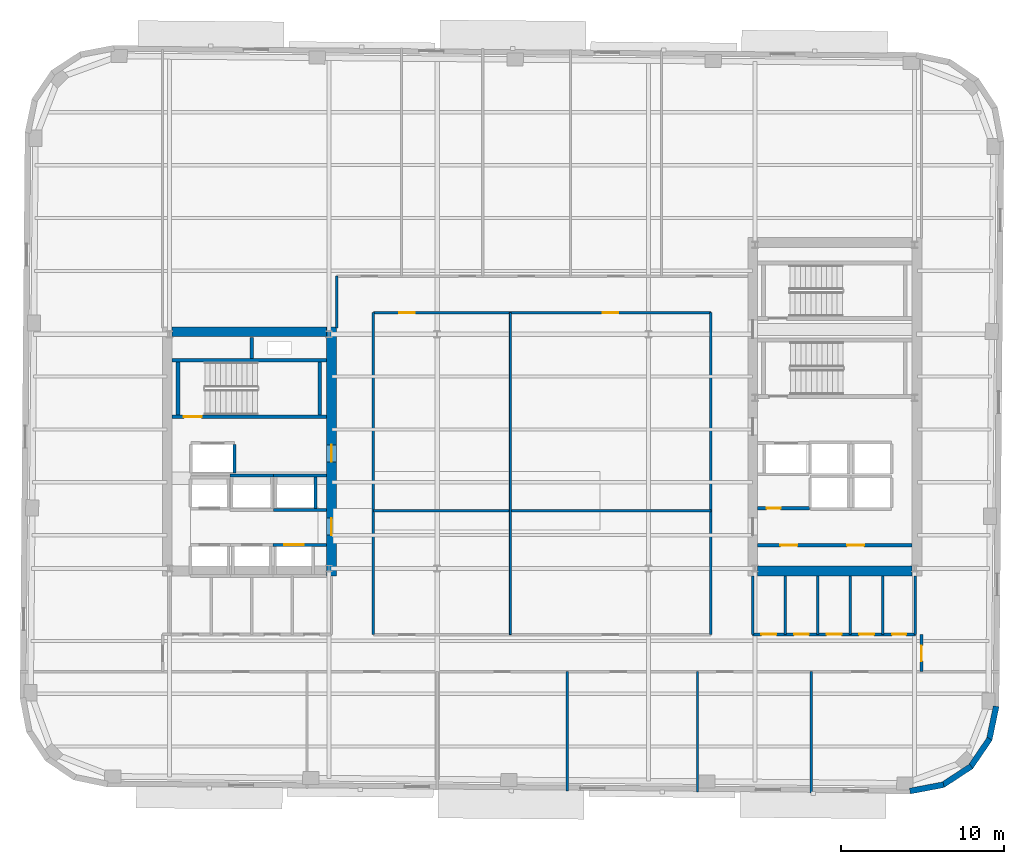
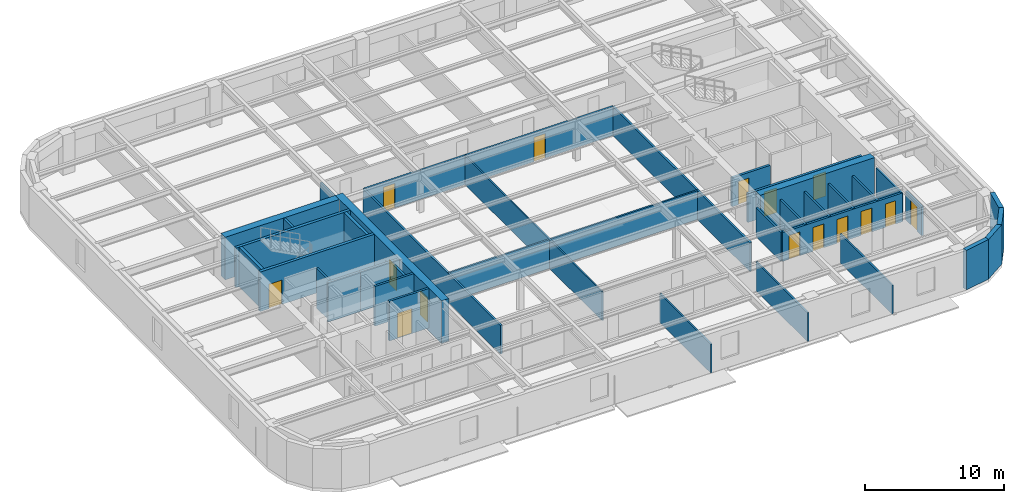
# One storey, part 5 of 11: 37 walls, 15 doors, 15 openings.
"""IFC4 building model written with IfcOpenShell, lengths in metres."""

from ifc_helpers import new_model, si_unit, direction, frame, frame_2d, origin, place, context, subcontext, project, spatial, rectangle, extrude, material, layer, layer_set, type_object, element, fill, save


model = new_model("IFC4")

# Units and contexts
model_context = context("Model", 3, precision=1e-05, world=origin(), true_north=direction((0.0, 1.0)))
body_context = subcontext(model_context, "Body", "Model", "MODEL_VIEW")
ifc_project = project(units=[si_unit("LENGTHUNIT", "METRE"), si_unit("AREAUNIT", "SQUARE_METRE"), si_unit("VOLUMEUNIT", "CUBIC_METRE"), si_unit("PLANEANGLEUNIT", "RADIAN"), si_unit("MASSUNIT", "GRAM", prefix="KILO")], contexts=[model_context])

# Site, building, storey
site_placement = place(None, origin())
site = spatial("IfcSite", under=ifc_project, at=site_placement, CompositionType="ELEMENT")
building_placement = place(site_placement, origin())
building = spatial("IfcBuilding", under=site, at=building_placement, Name="Kolvaren Arena Tower", CompositionType="ELEMENT")
storey_placement = place(building_placement, frame((0.0, 0.0, 162.199951171875)))
storey = spatial("IfcBuildingStorey", under=building, at=storey_placement, Name="L38", CompositionType="ELEMENT", Elevation=162.199951171875)

# Wall
ifc_material_1 = material(Name="Gypsum board acoustic assembly", Category="gypsum")
ifc_layer_1 = layer(ifc_material_1, 0.159912109375)
ifc_layer_set_1 = layer_set([ifc_layer_1], Name="Gypsum board acoustic assembly")
wall_type_1 = type_object("IfcWallType", Name="CORR-160", PredefinedType="PARTITIONING", material=ifc_layer_set_1)
wall_1_placement = place(storey_placement, frame((24.820068359375, 34.25, 0.0), z_axis=(0.0, 0.0, 1.0), x_axis=(0.0, 1.0, 0.0)))
element("IfcWall", 1, at=wall_1_placement, inside=storey, type_object=wall_type_1, Name="Interior Partition Wall (L38)", PredefinedType="PARTITIONING", context=body_context, shape_type="SweptSolid", body=[
    extrude(rectangle(XDim=3.169921875, YDim=0.159912109375, at=frame_2d((1.5849609375, 0.0))), origin(), (0.0, 0.0, 1.0), 2.5400390625),
])

# Wall, openings, doors
wall_2_placement = place(storey_placement, frame((27.080078125, 35.179931640625, 0.0), z_axis=(0.0, 0.0, 1.0), x_axis=(1.0, 0.0, 0.0)))
wall_2 = element("IfcWall", 2, at=wall_2_placement, inside=storey, type_object=wall_type_1, Name="Interior Partition Wall (L38)", PredefinedType="PARTITIONING", context=body_context, shape_type="SweptSolid", body=[
    extrude(rectangle(XDim=20.739990234375, YDim=0.159912109375, at=frame_2d((10.3701171875, 0.0))), origin(), (0.0, 0.0, 1.0), 2.5400390625),
])
opening_1_placement = place(wall_2_placement, frame((1.594970703125, 0.0, 0.0)))
opening_1 = element("IfcOpeningElement", 3, at=opening_1_placement, cuts=wall_2, Name="Opening D05", PredefinedType="OPENING", context=body_context, shape_type="SweptSolid", body=[
    extrude(rectangle(XDim=0.949951171875, YDim=2.14990234375, at=frame_2d((0.47509765625, 1.074951171875))), frame((0.0, 0.08984375, 0.0), z_axis=(0.0, -1.0, 0.0), x_axis=(1.0, 0.0, 0.0)), (0.0, 0.0, 1.0), 0.179931640625),
])
opening_2_placement = place(wall_2_placement, frame((14.094970703125, 0.0, 0.0)))
opening_2 = element("IfcOpeningElement", 4, at=opening_2_placement, cuts=wall_2, Name="Opening D05", PredefinedType="OPENING", context=body_context, shape_type="SweptSolid", body=[
    extrude(rectangle(XDim=0.949951171875, YDim=2.14990234375, at=frame_2d((0.47509765625, 1.074951171875))), frame((0.0, 0.08984375, 0.0), z_axis=(0.0, -1.0, 0.0), x_axis=(1.0, 0.0, 0.0)), (0.0, 0.0, 1.0), 0.179931640625),
])
ifc_material_2 = material(Name="Solid-core oak acoustic office door", Category="wood")
door_type_1 = type_object("IfcDoorType", Name="DOOR-OF-095", OperationType="NOTDEFINED", PredefinedType="DOOR", material=ifc_material_2)
door_1_placement = place(opening_1_placement, origin())
door_1 = element("IfcDoor", 5, at=door_1_placement, inside=storey, type_object=door_type_1, Name="Breakout Pantry and Kitchen Door (L38)", OperationType="SINGLE_SWING_LEFT", OverallHeight=2.14990234375, OverallWidth=0.949951171875, PredefinedType="DOOR", context=body_context, shape_type="SweptSolid", body=[
    extrude(rectangle(XDim=0.949951171875, YDim=2.14990234375, at=frame_2d((0.47509765625, 1.074951171875))), frame((0.0, 0.02490234375, 0.0), z_axis=(0.0, -1.0, 0.0), x_axis=(1.0, 0.0, 0.0)), (0.0, 0.0, 1.0), 0.050048828125),
])
fill(opening_1, door_1)
door_2_placement = place(opening_2_placement, origin())
door_2 = element("IfcDoor", 6, at=door_2_placement, inside=storey, type_object=door_type_1, Name="Open Plan Office Door (L38)", OperationType="SINGLE_SWING_LEFT", OverallHeight=2.14990234375, OverallWidth=0.949951171875, PredefinedType="DOOR", context=body_context, shape_type="SweptSolid", body=[
    extrude(rectangle(XDim=0.949951171875, YDim=2.14990234375, at=frame_2d((0.47509765625, 1.074951171875))), frame((0.0, 0.02490234375, 0.0), z_axis=(0.0, -1.0, 0.0), x_axis=(1.0, 0.0, 0.0)), (0.0, 0.0, 1.0), 0.050048828125),
])
fill(opening_2, door_2)

# Walls
for number, where, z_axis, x_axis, name in (
    (7, (27.080078125, 15.3798828125, 0.0), (0.0, 0.0, 1.0), (0.0, 1.0, 0.0), "Interior Partition Wall (L38)"),
    (8, (47.820068359375, 15.3798828125, 0.0), (0.0, 0.0, 1.0), (0.0, 1.0, 0.0), "Interior Partition Wall (L38)"),
):
    element("IfcWall", number, at=place(storey_placement, frame(where, z_axis=z_axis, x_axis=x_axis)), inside=storey, type_object=wall_type_1, Name=name, PredefinedType="PARTITIONING", context=body_context, shape_type="SweptSolid", body=[
        extrude(rectangle(XDim=19.800048828125, YDim=0.159912109375, at=frame_2d((9.89990234375, 0.0))), origin(), (0.0, 0.0, 1.0), 2.5400390625),
    ])

# Wall, opening, door
wall_3_placement = place(storey_placement, frame((60.780029296875, 13.10009765625, 0.0), z_axis=(0.0, 0.0, 1.0), x_axis=(0.0, 1.0, 0.0)))
wall_3 = element("IfcWall", 9, at=wall_3_placement, inside=storey, type_object=wall_type_1, Name="Interior Partition Wall (L38)", PredefinedType="PARTITIONING", context=body_context, shape_type="SweptSolid", body=[
    extrude(rectangle(XDim=2.2998046875, YDim=0.159912109375, at=frame_2d((1.14990234375, 0.0))), origin(), (0.0, 0.0, 1.0), 2.5400390625),
])
opening_3_placement = place(wall_3_placement, frame((0.64990234375, 0.0, 0.0)))
opening_3 = element("IfcOpeningElement", 10, at=opening_3_placement, cuts=wall_3, Name="Opening D05", PredefinedType="OPENING", context=body_context, shape_type="SweptSolid", body=[
    extrude(rectangle(XDim=0.949951171875, YDim=2.14990234375, at=frame_2d((0.47509765625, 1.074951171875))), frame((0.0, 0.08984375, 0.0), z_axis=(0.0, -1.0, 0.0), x_axis=(1.0, 0.0, 0.0)), (0.0, 0.0, 1.0), 0.179931640625),
])
door_3_placement = place(opening_3_placement, origin())
door_3 = element("IfcDoor", 11, at=door_3_placement, inside=storey, type_object=door_type_1, Name="East Wing Studio Door (L38)", OperationType="SINGLE_SWING_RIGHT", OverallHeight=2.14990234375, OverallWidth=0.949951171875, PredefinedType="DOOR", context=body_context, shape_type="SweptSolid", body=[
    extrude(rectangle(XDim=0.949951171875, YDim=2.14990234375, at=frame_2d((0.47509765625, 1.074951171875))), frame((0.0, 0.02490234375, 0.0), z_axis=(0.0, -1.0, 0.0), x_axis=(1.0, 0.0, 0.0)), (0.0, 0.0, 1.0), 0.050048828125),
])
fill(opening_3, door_3)

# Wall, openings, doors
ifc_material_3 = material(Name="Concrete 60 MPa", Category="concrete")
ifc_layer_2 = layer(ifc_material_3, 0.60009765625)
ifc_layer_set_2 = layer_set([ifc_layer_2], Name="Concrete 60 MPa")
wall_type_2 = type_object("IfcWallType", Name="CWALL-600", PredefinedType="SHEAR", material=ifc_layer_set_2)
wall_4_placement = place(storey_placement, frame((24.5, 19.0, -0.27001953125), z_axis=(0.0, 0.0, 1.0), x_axis=(0.0, 1.0, 0.0)))
wall_4 = element("IfcWall", 12, at=wall_4_placement, inside=storey, type_object=wall_type_2, Name="Core Shear Wall WC-EAST (L38)", PredefinedType="SHEAR", context=body_context, shape_type="SweptSolid", body=[
    extrude(rectangle(XDim=15.300048828125, YDim=0.60009765625, at=frame_2d((7.64990234375, 0.0))), origin(), (0.0, 0.0, 1.0), 3.75),
])
opening_4_placement = place(wall_4_placement, frame((2.5, 0.0, 0.27001953125)))
opening_4 = element("IfcOpeningElement", 13, at=opening_4_placement, cuts=wall_4, Name="Opening D04", PredefinedType="OPENING", context=body_context, shape_type="SweptSolid", body=[
    extrude(rectangle(XDim=1.050048828125, YDim=2.14990234375, at=frame_2d((0.52490234375, 1.074951171875))), frame((0.0, 0.31005859375, 0.0), z_axis=(0.0, -1.0, 0.0), x_axis=(1.0, 0.0, 0.0)), (0.0, 0.0, 1.0), 0.6201171875),
])
opening_5_placement = place(wall_4_placement, frame((7.0, 0.0, 0.27001953125)))
opening_5 = element("IfcOpeningElement", 14, at=opening_5_placement, cuts=wall_4, Name="Opening D04", PredefinedType="OPENING", context=body_context, shape_type="SweptSolid", body=[
    extrude(rectangle(XDim=1.050048828125, YDim=2.14990234375, at=frame_2d((0.52490234375, 1.074951171875))), frame((0.0, 0.31005859375, 0.0), z_axis=(0.0, -1.0, 0.0), x_axis=(1.0, 0.0, 0.0)), (0.0, 0.0, 1.0), 0.6201171875),
])
ifc_material_4 = material(Name="Fire-rated steel lobby door", Category="steel")
door_type_2 = type_object("IfcDoorType", Name="DOOR-FF-105", OperationType="NOTDEFINED", PredefinedType="DOOR", material=ifc_material_4)
door_4_placement = place(opening_4_placement, origin())
door_4 = element("IfcDoor", 15, at=door_4_placement, inside=storey, type_object=door_type_2, Name="West Lift Lobby Fire Door (L38)", OperationType="SINGLE_SWING_LEFT", OverallHeight=2.14990234375, OverallWidth=1.050048828125, PredefinedType="DOOR", context=body_context, shape_type="SweptSolid", body=[
    extrude(rectangle(XDim=1.050048828125, YDim=2.14990234375, at=frame_2d((0.52490234375, 1.074951171875))), frame((0.0, 0.02490234375, 0.0), z_axis=(0.0, -1.0, 0.0), x_axis=(1.0, 0.0, 0.0)), (0.0, 0.0, 1.0), 0.050048828125),
])
fill(opening_4, door_4)
door_5_placement = place(opening_5_placement, origin())
door_5 = element("IfcDoor", 16, at=door_5_placement, inside=storey, type_object=door_type_2, Name="West Firefighter Vestibule Door (L38)", OperationType="SINGLE_SWING_RIGHT", OverallHeight=2.14990234375, OverallWidth=1.050048828125, PredefinedType="DOOR", context=body_context, shape_type="SweptSolid", body=[
    extrude(rectangle(XDim=1.050048828125, YDim=2.14990234375, at=frame_2d((0.52490234375, 1.074951171875))), frame((0.0, 0.02490234375, 0.0), z_axis=(0.0, -1.0, 0.0), x_axis=(1.0, 0.0, 0.0)), (0.0, 0.0, 1.0), 0.050048828125),
])
fill(opening_5, door_5)

# Walls
for number, where, z_axis, x_axis, name in (
    (17, (14.699951171875, 34.0, -0.27001953125), (0.0, 0.0, 1.0), (1.0, 0.0, 0.0), "Core Shear Wall WC-NORTH (L38)"),
    (18, (50.699951171875, 19.300048828125, -0.27001953125), (0.0, 0.0, 1.0), (1.0, 0.0, 0.0), "Core Shear Wall EC-SOUTH (L38)"),
):
    element("IfcWall", number, at=place(storey_placement, frame(where, z_axis=z_axis, x_axis=x_axis)), inside=storey, type_object=wall_type_2, Name=name, PredefinedType="SHEAR", context=body_context, shape_type="SweptSolid", body=[
        extrude(rectangle(XDim=9.5, YDim=0.60009765625, at=frame_2d((4.75, 0.0))), origin(), (0.0, 0.0, 1.0), 3.75),
    ])
ifc_material_5 = material(Name="Precast concrete C50/60", Category="concrete")
ifc_layer_3 = layer(ifc_material_5, 0.360107421875)
ifc_layer_set_3 = layer_set([ifc_layer_3], Name="Precast concrete C50/60")
wall_type_3 = type_object("IfcWallType", Name="EXT-PIER2", PredefinedType="SOLIDWALL", material=ifc_layer_set_3)
wall_5_placement = place(storey_placement, frame((62.136474609375, 6.155029296875, 0.0), z_axis=(0.0, 0.0, 1.0), x_axis=(-0.98246713518, -0.186435855703, 0.0)))
element("IfcWall", 19, at=wall_5_placement, inside=storey, type_object=wall_type_3, Name="Exterior Precast Masonry-Frame Wall (L38)", PredefinedType="SOLIDWALL", context=body_context, shape_type="SweptSolid", body=[
    extrude(rectangle(XDim=2.10693359375, YDim=0.360107421875, at=frame_2d((1.053466796875, 0.0))), origin(), (0.0, 0.0, 1.0), 3.47998046875),
])
wall_6_placement = place(storey_placement, frame((63.83349609375, 7.2841796875, 0.0), z_axis=(0.0, 0.0, 1.0), x_axis=(-0.836303589916, -0.548266637224, 0.0)))
element("IfcWall", 20, at=wall_6_placement, inside=storey, type_object=wall_type_3, Name="Exterior Precast Masonry-Frame Wall (L38)", PredefinedType="SOLIDWALL", context=body_context, shape_type="SweptSolid", body=[
    extrude(rectangle(XDim=2.107177734375, YDim=0.360107421875, at=frame_2d((1.0537109375, 0.0))), origin(), (0.0, 0.0, 1.0), 3.47998046875),
])
for number, where, z_axis, x_axis, name in (
    (21, (64.968994140625, 8.9765625, 0.0), (0.0, 0.0, 1.0), (-0.56277581689, -0.826609569219, 0.0), "Exterior Precast Masonry-Frame Wall (L38)"),
    (22, (65.370849609375, 10.974609375, 0.0), (0.0, 0.0, 1.0), (-0.203709000552, -0.979031482177, 0.0), "Exterior Precast Masonry-Frame Wall (L38)"),
):
    element("IfcWall", number, at=place(storey_placement, frame(where, z_axis=z_axis, x_axis=x_axis)), inside=storey, type_object=wall_type_3, Name=name, PredefinedType="SOLIDWALL", context=body_context, shape_type="SweptSolid", body=[
        extrude(rectangle(XDim=2.10693359375, YDim=0.360107421875, at=frame_2d((1.053466796875, 0.0))), origin(), (0.0, 0.0, 1.0), 3.47998046875),
    ])

# Wall, openings, doors
ifc_material_6 = material(Name="Concrete 40 MPa", Category="concrete")
ifc_layer_4 = layer(ifc_material_6, 0.199951171875)
ifc_layer_set_4 = layer_set([ifc_layer_4], Name="Concrete 40 MPa")
wall_type_4 = type_object("IfcWallType", Name="LOBBY-200", PredefinedType="SOLIDWALL", material=ifc_layer_set_4)
wall_7_placement = place(storey_placement, frame((50.699951171875, 20.8798828125, 0.0), z_axis=(0.0, 0.0, 1.0), x_axis=(1.0, 0.0, 0.0)))
wall_7 = element("IfcWall", 23, at=wall_7_placement, inside=storey, type_object=wall_type_4, Name="Core Shaft Wall (L38)", PredefinedType="SOLIDWALL", context=body_context, shape_type="SweptSolid", body=[
    extrude(rectangle(XDim=9.5, YDim=0.199951171875, at=frame_2d((4.75, 0.0))), origin(), (0.0, 0.0, 1.0), 2.5400390625),
])
opening_6_placement = place(wall_7_placement, frame((1.39990234375, 0.0, 0.0)))
opening_6 = element("IfcOpeningElement", 24, at=opening_6_placement, cuts=wall_7, Name="Opening D04", PredefinedType="OPENING", context=body_context, shape_type="SweptSolid", body=[
    extrude(rectangle(XDim=1.050048828125, YDim=2.14990234375, at=frame_2d((0.52490234375, 1.074951171875))), frame((0.0, 0.10986328125, 0.0), z_axis=(0.0, -1.0, 0.0), x_axis=(1.0, 0.0, 0.0)), (0.0, 0.0, 1.0), 0.219970703125),
])
opening_7_placement = place(wall_7_placement, frame((5.5, 0.0, 0.0)))
opening_7 = element("IfcOpeningElement", 25, at=opening_7_placement, cuts=wall_7, Name="Opening D04", PredefinedType="OPENING", context=body_context, shape_type="SweptSolid", body=[
    extrude(rectangle(XDim=1.050048828125, YDim=2.14990234375, at=frame_2d((0.52490234375, 1.074951171875))), frame((0.0, 0.10986328125, 0.0), z_axis=(0.0, -1.0, 0.0), x_axis=(1.0, 0.0, 0.0)), (0.0, 0.0, 1.0), 0.219970703125),
])
door_6_placement = place(opening_6_placement, origin())
door_6 = element("IfcDoor", 26, at=door_6_placement, inside=storey, type_object=door_type_2, Name="East Telecom Room Fire Door (L38)", OperationType="SINGLE_SWING_RIGHT", OverallHeight=2.14990234375, OverallWidth=1.050048828125, PredefinedType="DOOR", context=body_context, shape_type="SweptSolid", body=[
    extrude(rectangle(XDim=1.050048828125, YDim=2.14990234375, at=frame_2d((0.52490234375, 1.074951171875))), frame((0.0, 0.02490234375, 0.0), z_axis=(0.0, -1.0, 0.0), x_axis=(1.0, 0.0, 0.0)), (0.0, 0.0, 1.0), 0.050048828125),
])
fill(opening_6, door_6)
door_7_placement = place(opening_7_placement, origin())
door_7 = element("IfcDoor", 27, at=door_7_placement, inside=storey, type_object=door_type_2, Name="East Records Room Fire Door (L38)", OperationType="SINGLE_SWING_LEFT", OverallHeight=2.14990234375, OverallWidth=1.050048828125, PredefinedType="DOOR", context=body_context, shape_type="SweptSolid", body=[
    extrude(rectangle(XDim=1.050048828125, YDim=2.14990234375, at=frame_2d((0.52490234375, 1.074951171875))), frame((0.0, 0.02490234375, 0.0), z_axis=(0.0, -1.0, 0.0), x_axis=(1.0, 0.0, 0.0)), (0.0, 0.0, 1.0), 0.050048828125),
])
fill(opening_7, door_7)

# Wall, opening, door
wall_8_placement = place(storey_placement, frame((50.699951171875, 23.159912109375, 0.0), z_axis=(0.0, 0.0, 1.0), x_axis=(1.0, 0.0, 0.0)))
wall_8 = element("IfcWall", 28, at=wall_8_placement, inside=storey, type_object=wall_type_4, Name="Core Shaft Wall (L38)", PredefinedType="SOLIDWALL", context=body_context, shape_type="SweptSolid", body=[
    extrude(rectangle(XDim=3.179931640625, YDim=0.199951171875, at=frame_2d((1.58984375, 0.0))), origin(), (0.0, 0.0, 1.0), 2.5400390625),
])
opening_8_placement = place(wall_8_placement, frame((0.550048828125, 0.0, 0.0)))
opening_8 = element("IfcOpeningElement", 29, at=opening_8_placement, cuts=wall_8, Name="Opening D09", PredefinedType="OPENING", context=body_context, shape_type="SweptSolid", body=[
    extrude(rectangle(XDim=0.860107421875, YDim=2.050048828125, at=frame_2d((0.43017578125, 1.02490234375))), frame((0.0, 0.10986328125, 0.0), z_axis=(0.0, -1.0, 0.0), x_axis=(1.0, 0.0, 0.0)), (0.0, 0.0, 1.0), 0.219970703125),
])
ifc_material_7 = material(Name="Fire-rated steel riser access door", Category="steel")
door_type_3 = type_object("IfcDoorType", Name="DOOR-RS-086", OperationType="NOTDEFINED", PredefinedType="DOOR", material=ifc_material_7)
door_8_placement = place(opening_8_placement, origin())
door_8 = element("IfcDoor", 30, at=door_8_placement, inside=storey, type_object=door_type_3, Name="East AV Riser Closet Door (L38)", OperationType="SINGLE_SWING_LEFT", OverallHeight=2.050048828125, OverallWidth=0.860107421875, PredefinedType="DOOR", context=body_context, shape_type="SweptSolid", body=[
    extrude(rectangle(XDim=0.860107421875, YDim=2.050048828125, at=frame_2d((0.43017578125, 1.02490234375))), frame((0.0, 0.02490234375, 0.0), z_axis=(0.0, -1.0, 0.0), x_axis=(1.0, 0.0, 0.0)), (0.0, 0.0, 1.0), 0.050048828125),
])
fill(opening_8, door_8)

# Walls
ifc_material_8 = material(Name="Gypsum board partition assembly", Category="gypsum")
ifc_layer_5 = layer(ifc_material_8, 0.114990234375)
ifc_layer_set_5 = layer_set([ifc_layer_5], Name="Gypsum board partition assembly")
wall_type_5 = type_object("IfcWallType", Name="PART-115", PredefinedType="PARTITIONING", material=ifc_layer_set_5)
wall_9_placement = place(storey_placement, frame((35.5, 15.3798828125, 0.0), z_axis=(0.0, 0.0, 1.0), x_axis=(0.0, 1.0, 0.0)))
element("IfcWall", 31, at=wall_9_placement, inside=storey, type_object=wall_type_5, Name="Interior Partition Wall (L38)", PredefinedType="PARTITIONING", context=body_context, shape_type="SweptSolid", body=[
    extrude(rectangle(XDim=19.800048828125, YDim=0.114990234375, at=frame_2d((9.89990234375, 0.0))), origin(), (0.0, 0.0, 1.0), 2.5400390625),
])
ifc_layer_6 = layer(ifc_material_8, 0.135009765625)
ifc_layer_set_6 = layer_set([ifc_layer_6], Name="Gypsum board partition assembly")
wall_type_6 = type_object("IfcWallType", Name="PART-135", PredefinedType="PARTITIONING", material=ifc_layer_set_6)
wall_10_placement = place(storey_placement, frame((39.0, 5.769287109375, 0.0), z_axis=(0.0, 0.0, 1.0), x_axis=(0.0, 1.0, 0.0)))
element("IfcWall", 32, at=wall_10_placement, inside=storey, type_object=wall_type_6, Name="Interior Partition Wall (L38)", PredefinedType="PARTITIONING", context=body_context, shape_type="SweptSolid", body=[
    extrude(rectangle(XDim=7.330810546875, YDim=0.135009765625, at=frame_2d((3.66552734375, 0.0))), origin(), (0.0, 0.0, 1.0), 2.5400390625),
])
wall_11_placement = place(storey_placement, frame((47.0, 5.69970703125, 0.0), z_axis=(0.0, 0.0, 1.0), x_axis=(0.0, 1.0, 0.0)))
element("IfcWall", 33, at=wall_11_placement, inside=storey, type_object=wall_type_6, Name="Interior Partition Wall (L38)", PredefinedType="PARTITIONING", context=body_context, shape_type="SweptSolid", body=[
    extrude(rectangle(XDim=7.400390625, YDim=0.135009765625, at=frame_2d((3.7001953125, 0.0))), origin(), (0.0, 0.0, 1.0), 2.5400390625),
])
wall_12_placement = place(storey_placement, frame((54.0, 5.638427734375, 0.0), z_axis=(0.0, 0.0, 1.0), x_axis=(0.0, 1.0, 0.0)))
element("IfcWall", 34, at=wall_12_placement, inside=storey, type_object=wall_type_6, Name="Interior Partition Wall (L38)", PredefinedType="PARTITIONING", context=body_context, shape_type="SweptSolid", body=[
    extrude(rectangle(XDim=7.461669921875, YDim=0.135009765625, at=frame_2d((3.73095703125, 0.0))), origin(), (0.0, 0.0, 1.0), 2.5400390625),
])
wall_13_placement = place(storey_placement, frame((27.080078125, 23.0, 0.0), z_axis=(0.0, 0.0, 1.0), x_axis=(1.0, 0.0, 0.0)))
element("IfcWall", 35, at=wall_13_placement, inside=storey, type_object=wall_type_6, Name="Interior Partition Wall (L38)", PredefinedType="PARTITIONING", context=body_context, shape_type="SweptSolid", body=[
    extrude(rectangle(XDim=20.739990234375, YDim=0.135009765625, at=frame_2d((10.3701171875, 0.0))), origin(), (0.0, 0.0, 1.0), 2.5400390625),
])

# Wall, opening, door
ifc_material_9 = material(Name="Concrete 45 MPa", Category="concrete")
ifc_layer_7 = layer(ifc_material_9, 0.25)
ifc_layer_set_7 = layer_set([ifc_layer_7], Name="Concrete 45 MPa")
wall_type_7 = type_object("IfcWallType", Name="SHAFT-250", PredefinedType="SOLIDWALL", material=ifc_layer_set_7)
wall_14_placement = place(storey_placement, frame((24.199951171875, 28.780029296875, 0.0), z_axis=(0.0, 0.0, 1.0), x_axis=(-1.0, 0.0, 0.0)))
wall_14 = element("IfcWall", 36, at=wall_14_placement, inside=storey, type_object=wall_type_7, Name="Core Shaft Wall (L38)", PredefinedType="SOLIDWALL", context=body_context, shape_type="SweptSolid", body=[
    extrude(rectangle(XDim=9.5, YDim=0.239990234375, at=frame_2d((4.75, 0.0))), origin(), (0.0, 0.0, 1.0), 3.47998046875),
])
opening_9_placement = place(wall_14_placement, frame((7.679931640625, 0.0, 0.0)))
opening_9 = element("IfcOpeningElement", 37, at=opening_9_placement, cuts=wall_14, Name="Opening D03", PredefinedType="OPENING", context=body_context, shape_type="SweptSolid", body=[
    extrude(rectangle(XDim=1.10009765625, YDim=2.14990234375, at=frame_2d((0.550048828125, 1.074951171875))), frame((0.0, 0.1298828125, 0.0), z_axis=(0.0, -1.0, 0.0), x_axis=(1.0, 0.0, 0.0)), (0.0, 0.0, 1.0), 0.260009765625),
])
ifc_material_10 = material(Name="Fire-rated steel exit stair door", Category="steel")
door_type_4 = type_object("IfcDoorType", Name="DOOR-ST-110", OperationType="NOTDEFINED", PredefinedType="DOOR", material=ifc_material_10)
door_9_placement = place(opening_9_placement, origin())
door_9 = element("IfcDoor", 38, at=door_9_placement, inside=storey, type_object=door_type_4, Name="Stair ST-W1 Fire Door (L38)", OperationType="SINGLE_SWING_RIGHT", OverallHeight=2.14990234375, OverallWidth=1.10009765625, PredefinedType="DOOR", context=body_context, shape_type="SweptSolid", body=[
    extrude(rectangle(XDim=1.10009765625, YDim=2.14990234375, at=frame_2d((0.550048828125, 1.074951171875))), frame((0.0, 0.02490234375, 0.0), z_axis=(0.0, -1.0, 0.0), x_axis=(1.0, 0.0, 0.0)), (0.0, 0.0, 1.0), 0.050048828125),
])
fill(opening_9, door_9)

# Walls
wall_15_placement = place(storey_placement, frame((14.699951171875, 32.25, 0.0), z_axis=(0.0, 0.0, 1.0), x_axis=(1.0, 0.0, 0.0)))
element("IfcWall", 39, at=wall_15_placement, inside=storey, type_object=wall_type_7, Name="Core Shaft Wall (L38)", PredefinedType="SOLIDWALL", context=body_context, shape_type="SweptSolid", body=[
    extrude(rectangle(XDim=9.5, YDim=0.239990234375, at=frame_2d((4.75, 0.0))), origin(), (0.0, 0.0, 1.0), 3.47998046875),
])
for number, where, z_axis, x_axis, name in (
    (40, (15.06005859375, 28.89990234375, 0.0), (0.0, 0.0, 1.0), (0.0, 1.0, 0.0), "Core Shaft Wall (L38)"),
    (41, (23.780029296875, 28.89990234375, 0.0), (0.0, 0.0, 1.0), (0.0, 1.0, 0.0), "Core Shaft Wall (L38)"),
):
    element("IfcWall", number, at=place(storey_placement, frame(where, z_axis=z_axis, x_axis=x_axis)), inside=storey, type_object=wall_type_7, Name=name, PredefinedType="SOLIDWALL", context=body_context, shape_type="SweptSolid", body=[
        extrude(rectangle(XDim=3.22998046875, YDim=0.239990234375, at=frame_2d((1.614990234375, 0.0))), origin(), (0.0, 0.0, 1.0), 3.47998046875),
    ])
wall_16_placement = place(storey_placement, frame((19.60009765625, 32.3701171875, 0.0), z_axis=(0.0, 0.0, 1.0), x_axis=(0.0, 1.0, 0.0)))
element("IfcWall", 42, at=wall_16_placement, inside=storey, type_object=wall_type_7, Name="Core Shaft Wall (L38)", PredefinedType="SOLIDWALL", context=body_context, shape_type="SweptSolid", body=[
    extrude(rectangle(XDim=1.27978515625, YDim=0.199951171875, at=frame_2d((0.639892578125, 0.0))), origin(), (0.0, 0.0, 1.0), 3.47998046875),
])

# Wall, opening, door
wall_17_placement = place(storey_placement, frame((20.89990234375, 20.905029296875, 0.0), z_axis=(0.0, 0.0, 1.0), x_axis=(1.0, 0.0, 0.0)))
wall_17 = element("IfcWall", 43, at=wall_17_placement, inside=storey, type_object=wall_type_7, Name="Core Shaft Wall (L38)", PredefinedType="SOLIDWALL", context=body_context, shape_type="SweptSolid", body=[
    extrude(rectangle(XDim=3.300048828125, YDim=0.179931640625, at=frame_2d((1.64990234375, 0.0))), origin(), (0.0, 0.0, 1.0), 3.47998046875),
])
opening_10_placement = place(wall_17_placement, frame((0.699951171875, 0.0, 0.0)))
opening_10 = element("IfcOpeningElement", 44, at=opening_10_placement, cuts=wall_17, Name="Opening LD1", PredefinedType="OPENING", context=body_context, shape_type="SweptSolid", body=[
    extrude(rectangle(XDim=1.199951171875, YDim=2.199951171875, at=frame_2d((0.60009765625, 1.10009765625))), frame((0.0, 0.099853515625, 0.0), z_axis=(0.0, -1.0, 0.0), x_axis=(1.0, 0.0, 0.0)), (0.0, 0.0, 1.0), 0.199951171875),
])
ifc_material_11 = material(Name="Stainless steel passenger lift landing door", Category="steel")
door_type_5 = type_object("IfcDoorType", Name="DOOR-LD-120", OperationType="DOUBLE_DOOR_SLIDING", PredefinedType="DOOR", material=ifc_material_11)
door_10_placement = place(opening_10_placement, origin())
door_10 = element("IfcDoor", 45, at=door_10_placement, inside=storey, type_object=door_type_5, Name="Lift EL-MR3 Landing Door (L38)", OperationType="DOUBLE_DOOR_SLIDING", OverallHeight=2.199951171875, OverallWidth=1.199951171875, PredefinedType="DOOR", context=body_context, shape_type="SweptSolid", body=[
    extrude(rectangle(XDim=1.199951171875, YDim=2.199951171875, at=frame_2d((0.60009765625, 1.10009765625))), frame((0.0, 0.02490234375, 0.0), z_axis=(0.0, -1.0, 0.0), x_axis=(1.0, 0.0, 0.0)), (0.0, 0.0, 1.0), 0.050048828125),
])
fill(opening_10, door_10)

# Walls
wall_18_placement = place(storey_placement, frame((18.262451171875, 25.155029296875, 0.0), z_axis=(0.0, 0.0, 1.0), x_axis=(1.0, 0.0, 0.0)))
element("IfcWall", 46, at=wall_18_placement, inside=storey, type_object=wall_type_7, Name="Core Shaft Wall (L38)", PredefinedType="SOLIDWALL", context=body_context, shape_type="SweptSolid", body=[
    extrude(rectangle(XDim=2.6875, YDim=0.179931640625, at=frame_2d((1.34375, 0.0))), origin(), (0.0, 0.0, 1.0), 3.47998046875),
])
for number, where, z_axis, x_axis, name in (
    (47, (20.949951171875, 25.155029296875, 0.0), (0.0, 0.0, 1.0), (1.0, 0.0, 0.0), "Core Shaft Wall (L38)"),
    (48, (20.949951171875, 23.044921875, 0.0), (0.0, 0.0, 1.0), (1.0, 0.0, 0.0), "Core Shaft Wall (L38)"),
):
    element("IfcWall", number, at=place(storey_placement, frame(where, z_axis=z_axis, x_axis=x_axis)), inside=storey, type_object=wall_type_7, Name=name, PredefinedType="SOLIDWALL", context=body_context, shape_type="SweptSolid", body=[
        extrude(rectangle(XDim=3.25, YDim=0.179931640625, at=frame_2d((1.625, 0.0))), origin(), (0.0, 0.0, 1.0), 3.47998046875),
    ])
wall_19_placement = place(storey_placement, frame((23.530029296875, 23.135009765625, 0.0), z_axis=(0.0, 0.0, 1.0), x_axis=(0.0, 1.0, 0.0)))
element("IfcWall", 49, at=wall_19_placement, inside=storey, type_object=wall_type_7, Name="Core Shaft Wall (L38)", PredefinedType="SOLIDWALL", context=body_context, shape_type="SweptSolid", body=[
    extrude(rectangle(XDim=1.929931640625, YDim=0.179931640625, at=frame_2d((0.96484375, 0.0))), origin(), (0.0, 0.0, 1.0), 3.47998046875),
])
wall_20_placement = place(storey_placement, frame((18.530029296875, 25.3349609375, 0.0), z_axis=(0.0, 0.0, 1.0), x_axis=(0.0, 1.0, 0.0)))
element("IfcWall", 50, at=wall_20_placement, inside=storey, type_object=wall_type_7, Name="Core Shaft Wall (L38)", PredefinedType="SOLIDWALL", context=body_context, shape_type="SweptSolid", body=[
    extrude(rectangle(XDim=1.72998046875, YDim=0.179931640625, at=frame_2d((0.864990234375, 0.0))), origin(), (0.0, 0.0, 1.0), 3.47998046875),
])

# Wall, openings, doors
wall_21_placement = place(storey_placement, frame((50.39990234375, 15.39990234375, 0.0), z_axis=(0.0, 0.0, 1.0), x_axis=(1.0, 0.0, 0.0)))
wall_21 = element("IfcWall", 51, at=wall_21_placement, inside=storey, type_object=wall_type_7, Name="Interior Partition Wall (L38)", PredefinedType="SOLIDWALL", context=body_context, shape_type="SweptSolid", body=[
    extrude(rectangle(XDim=10.0, YDim=0.179931640625, at=frame_2d((5.0, 0.0))), origin(), (0.0, 0.0, 1.0), 2.5400390625),
])
opening_11_placement = place(wall_21_placement, frame((0.5400390625, 0.0, 0.0)))
opening_11 = element("IfcOpeningElement", 52, at=opening_11_placement, cuts=wall_21, Name="Opening D07", PredefinedType="OPENING", context=body_context, shape_type="SweptSolid", body=[
    extrude(rectangle(XDim=0.919921875, YDim=2.10009765625, at=frame_2d((0.4599609375, 1.050048828125))), frame((0.0, 0.099853515625, 0.0), z_axis=(0.0, -1.0, 0.0), x_axis=(1.0, 0.0, 0.0)), (0.0, 0.0, 1.0), 0.199951171875),
])
opening_12_placement = place(wall_21_placement, frame((2.5400390625, 0.0, 0.0)))
opening_12 = element("IfcOpeningElement", 53, at=opening_12_placement, cuts=wall_21, Name="Opening D07", PredefinedType="OPENING", context=body_context, shape_type="SweptSolid", body=[
    extrude(rectangle(XDim=0.919921875, YDim=2.10009765625, at=frame_2d((0.4599609375, 1.050048828125))), frame((0.0, 0.099853515625, 0.0), z_axis=(0.0, -1.0, 0.0), x_axis=(1.0, 0.0, 0.0)), (0.0, 0.0, 1.0), 0.199951171875),
])
opening_13_placement = place(wall_21_placement, frame((4.5400390625, 0.0, 0.0)))
opening_13 = element("IfcOpeningElement", 54, at=opening_13_placement, cuts=wall_21, Name="Opening D07", PredefinedType="OPENING", context=body_context, shape_type="SweptSolid", body=[
    extrude(rectangle(XDim=0.919921875, YDim=2.10009765625, at=frame_2d((0.4599609375, 1.050048828125))), frame((0.0, 0.099853515625, 0.0), z_axis=(0.0, -1.0, 0.0), x_axis=(1.0, 0.0, 0.0)), (0.0, 0.0, 1.0), 0.199951171875),
])
opening_14_placement = place(wall_21_placement, frame((6.5400390625, 0.0, 0.0)))
opening_14 = element("IfcOpeningElement", 55, at=opening_14_placement, cuts=wall_21, Name="Opening D07", PredefinedType="OPENING", context=body_context, shape_type="SweptSolid", body=[
    extrude(rectangle(XDim=0.919921875, YDim=2.10009765625, at=frame_2d((0.4599609375, 1.050048828125))), frame((0.0, 0.099853515625, 0.0), z_axis=(0.0, -1.0, 0.0), x_axis=(1.0, 0.0, 0.0)), (0.0, 0.0, 1.0), 0.199951171875),
])
opening_15_placement = place(wall_21_placement, frame((8.570068359375, 0.0, 0.0)))
opening_15 = element("IfcOpeningElement", 56, at=opening_15_placement, cuts=wall_21, Name="Opening D09", PredefinedType="OPENING", context=body_context, shape_type="SweptSolid", body=[
    extrude(rectangle(XDim=0.860107421875, YDim=2.050048828125, at=frame_2d((0.43017578125, 1.02490234375))), frame((0.0, 0.099853515625, 0.0), z_axis=(0.0, -1.0, 0.0), x_axis=(1.0, 0.0, 0.0)), (0.0, 0.0, 1.0), 0.199951171875),
])
door_11_placement = place(opening_15_placement, origin())
door_11 = element("IfcDoor", 57, at=door_11_placement, inside=storey, type_object=door_type_3, Name="Telecom Riser Closet Door (L38)", OperationType="SINGLE_SWING_RIGHT", OverallHeight=2.050048828125, OverallWidth=0.860107421875, PredefinedType="DOOR", context=body_context, shape_type="SweptSolid", body=[
    extrude(rectangle(XDim=0.860107421875, YDim=2.050048828125, at=frame_2d((0.43017578125, 1.02490234375))), frame((0.0, 0.02490234375, 0.0), z_axis=(0.0, -1.0, 0.0), x_axis=(1.0, 0.0, 0.0)), (0.0, 0.0, 1.0), 0.050048828125),
])
fill(opening_15, door_11)
ifc_material_12 = material(Name="Laminate universal washroom door", Category="wood")
door_type_6 = type_object("IfcDoorType", Name="DOOR-WC-092", OperationType="NOTDEFINED", PredefinedType="DOOR", material=ifc_material_12)
door_12_placement = place(opening_11_placement, origin())
door_12 = element("IfcDoor", 58, at=door_12_placement, inside=storey, type_object=door_type_6, Name="First Aid Store Door (L38)", OperationType="SINGLE_SWING_RIGHT", OverallHeight=2.10009765625, OverallWidth=0.919921875, PredefinedType="DOOR", context=body_context, shape_type="SweptSolid", body=[
    extrude(rectangle(XDim=0.919921875, YDim=2.10009765625, at=frame_2d((0.4599609375, 1.050048828125))), frame((0.0, 0.02490234375, 0.0), z_axis=(0.0, -1.0, 0.0), x_axis=(1.0, 0.0, 0.0)), (0.0, 0.0, 1.0), 0.050048828125),
])
fill(opening_11, door_12)
door_13_placement = place(opening_12_placement, origin())
door_13 = element("IfcDoor", 59, at=door_13_placement, inside=storey, type_object=door_type_6, Name="Cleaner and Janitor Store Door (L38)", OperationType="SINGLE_SWING_LEFT", OverallHeight=2.10009765625, OverallWidth=0.919921875, PredefinedType="DOOR", context=body_context, shape_type="SweptSolid", body=[
    extrude(rectangle(XDim=0.919921875, YDim=2.10009765625, at=frame_2d((0.4599609375, 1.050048828125))), frame((0.0, 0.02490234375, 0.0), z_axis=(0.0, -1.0, 0.0), x_axis=(1.0, 0.0, 0.0)), (0.0, 0.0, 1.0), 0.050048828125),
])
fill(opening_12, door_13)
door_14_placement = place(opening_13_placement, origin())
door_14 = element("IfcDoor", 60, at=door_14_placement, inside=storey, type_object=door_type_6, Name="Staff Pantry Door (L38)", OperationType="SINGLE_SWING_RIGHT", OverallHeight=2.10009765625, OverallWidth=0.919921875, PredefinedType="DOOR", context=body_context, shape_type="SweptSolid", body=[
    extrude(rectangle(XDim=0.919921875, YDim=2.10009765625, at=frame_2d((0.4599609375, 1.050048828125))), frame((0.0, 0.02490234375, 0.0), z_axis=(0.0, -1.0, 0.0), x_axis=(1.0, 0.0, 0.0)), (0.0, 0.0, 1.0), 0.050048828125),
])
fill(opening_13, door_14)
door_15_placement = place(opening_14_placement, origin())
door_15 = element("IfcDoor", 61, at=door_15_placement, inside=storey, type_object=door_type_6, Name="Gender-Neutral Washroom Door (L38)", OperationType="SINGLE_SWING_LEFT", OverallHeight=2.10009765625, OverallWidth=0.919921875, PredefinedType="DOOR", context=body_context, shape_type="SweptSolid", body=[
    extrude(rectangle(XDim=0.919921875, YDim=2.10009765625, at=frame_2d((0.4599609375, 1.050048828125))), frame((0.0, 0.02490234375, 0.0), z_axis=(0.0, -1.0, 0.0), x_axis=(1.0, 0.0, 0.0)), (0.0, 0.0, 1.0), 0.050048828125),
])
fill(opening_14, door_15)

# Walls
ifc_material_13 = material(Name="Moisture-resistant gypsum assembly", Category="gypsum")
ifc_layer_8 = layer(ifc_material_13, 0.14990234375)
ifc_layer_set_8 = layer_set([ifc_layer_8], Name="Moisture-resistant gypsum assembly")
wall_type_8 = type_object("IfcWallType", Name="WETW-150", PredefinedType="PARTITIONING", material=ifc_layer_set_8)
for number, where, z_axis, x_axis, name in (
    (62, (52.39990234375, 15.39990234375, 0.0), (0.0, 0.0, 1.0), (0.0, 1.0, 0.0), "Interior Partition Wall (L38)"),
    (63, (54.39990234375, 15.39990234375, 0.0), (0.0, 0.0, 1.0), (0.0, 1.0, 0.0), "Interior Partition Wall (L38)"),
    (64, (56.39990234375, 15.39990234375, 0.0), (0.0, 0.0, 1.0), (0.0, 1.0, 0.0), "Interior Partition Wall (L38)"),
    (65, (58.39990234375, 15.39990234375, 0.0), (0.0, 0.0, 1.0), (0.0, 1.0, 0.0), "Interior Partition Wall (L38)"),
    (66, (50.39990234375, 15.39990234375, 0.0), (0.0, 0.0, 1.0), (0.0, 1.0, 0.0), "Interior Partition Wall (L38)"),
    (67, (60.39990234375, 15.39990234375, 0.0), (0.0, 0.0, 1.0), (0.0, 1.0, 0.0), "Interior Partition Wall (L38)"),
):
    element("IfcWall", number, at=place(storey_placement, frame(where, z_axis=z_axis, x_axis=x_axis)), inside=storey, type_object=wall_type_8, Name=name, PredefinedType="PARTITIONING", context=body_context, shape_type="SweptSolid", body=[
        extrude(rectangle(XDim=3.580078125, YDim=0.14990234375, at=frame_2d((1.7900390625, 0.0))), origin(), (0.0, 0.0, 1.0), 2.5400390625),
    ])

save(model, "model.ifc")
